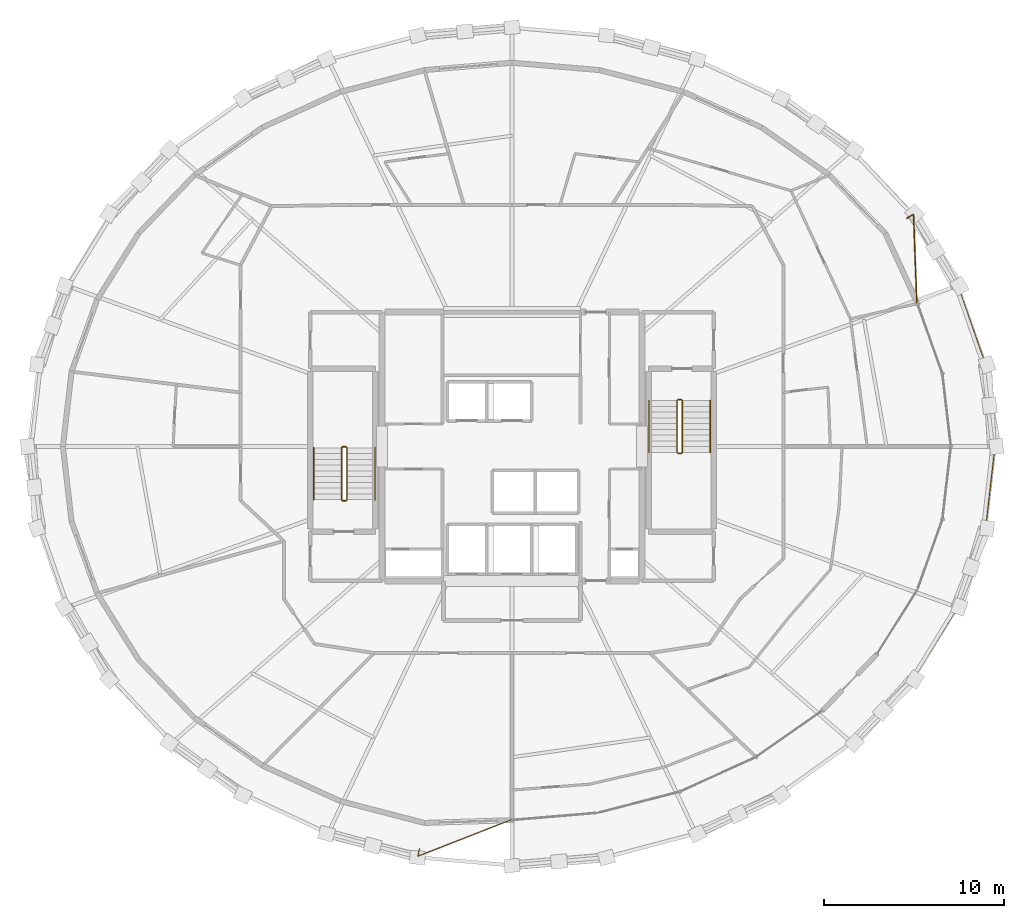
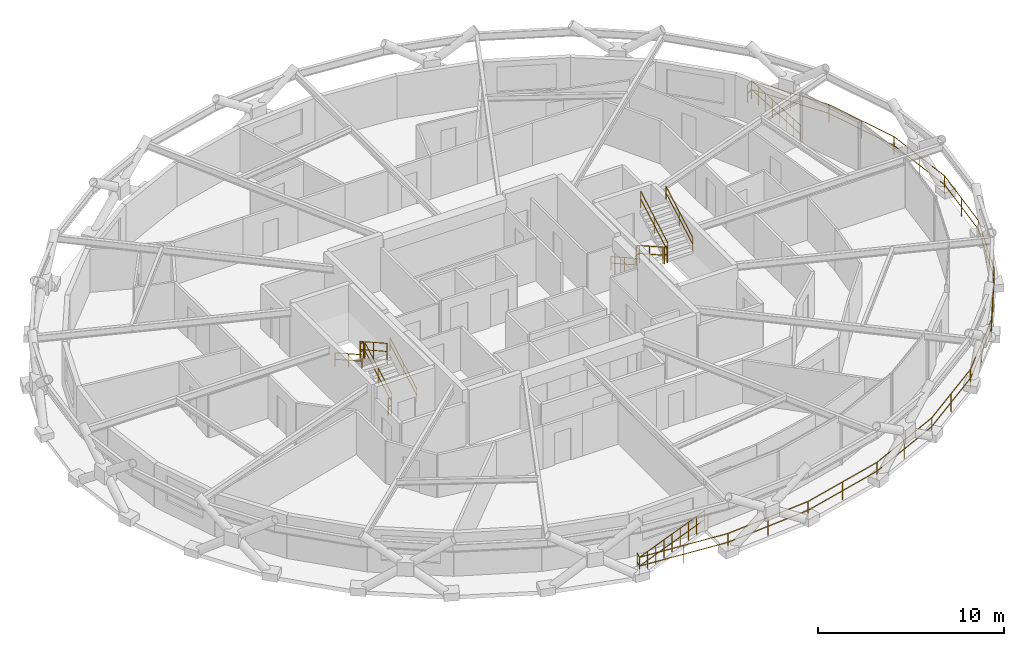
# One storey, part 16 of 16: 15 railings.
"""IFC4 building model written with IfcOpenShell, lengths in metres."""

from ifc_helpers import new_model, si_unit, direction, frame, origin, origin_2d, place, context, subcontext, project, spatial, circle, extrude, material, type_object, element, save


model = new_model("IFC4")

# Units and contexts
model_context = context("Model", 3, precision=1e-05, world=origin(), true_north=direction((0.0, 1.0)))
body_context = subcontext(model_context, "Body", "Model", "MODEL_VIEW")
ifc_project = project(units=[si_unit("LENGTHUNIT", "METRE"), si_unit("AREAUNIT", "SQUARE_METRE"), si_unit("VOLUMEUNIT", "CUBIC_METRE"), si_unit("PLANEANGLEUNIT", "RADIAN"), si_unit("MASSUNIT", "GRAM", prefix="KILO")], contexts=[model_context])

# Site, building, storey
site_placement = place(None, origin())
site = spatial("IfcSite", under=ifc_project, at=site_placement, CompositionType="ELEMENT")
building_placement = place(site_placement, origin())
building = spatial("IfcBuilding", under=site, at=building_placement, Name="Veldorina Hangang Commons", CompositionType="ELEMENT")
storey_placement = place(building_placement, frame((0.0, 0.0, 192.800048828125)))
storey = spatial("IfcBuildingStorey", under=building, at=storey_placement, Name="L50", CompositionType="ELEMENT", Elevation=192.800048828125)

# Railings
ifc_material_1 = material(Name="Glass Laminated Safety Balustrade", Category="glass")
railing_type_1 = type_object("IfcRailingType", Name="RL-BAL-LOGGIA", PredefinedType="BALUSTRADE", material=ifc_material_1)
railing_1_placement = place(storey_placement, frame((26.871826171875, 1.6943359375, 0.0)))
element("IfcRailing", 1, at=railing_1_placement, inside=storey, type_object=railing_type_1, Name="L50 sky-garden loggia end balustrade A", PredefinedType="BALUSTRADE", context=body_context, shape_type="SweptSolid", body=[
    extrude(circle(Radius=0.02392578125, at=origin_2d()), frame((0.0, 0.0, 1.17578125), z_axis=(-0.22388258221, -0.974616124114, 0.0), x_axis=(0.974616124114, -0.22388258221, 0.0)), (0.0, 0.0, 1.0), 0.419921875),
    extrude(circle(Radius=0.02392578125, at=origin_2d()), frame((0.0, 0.0, 0.60009765625), z_axis=(-0.22388258221, -0.974616124114, 0.0), x_axis=(0.974616124114, -0.22388258221, 0.0)), (0.0, 0.0, 1.0), 0.419921875),
    extrude(circle(Radius=0.02392578125, at=origin_2d()), frame((-0.093994140625, -0.4091796875, 1.17578125), z_axis=(0.931729736181, 0.36315244556, 0.0), x_axis=(-0.36315244556, 0.931729736181, 0.0)), (0.0, 0.0, 1.0), 5.604736328125),
    extrude(circle(Radius=0.02392578125, at=origin_2d()), frame((-0.093994140625, -0.4091796875, 0.60009765625), z_axis=(0.931729736181, 0.36315244556, 0.0), x_axis=(-0.36315244556, 0.931729736181, 0.0)), (0.0, 0.0, 1.0), 5.604736328125),
    extrude(circle(Radius=0.02099609375, at=origin_2d()), origin(), (0.0, 0.0, 1.0), 1.15185546875),
    extrude(circle(Radius=0.02099609375, at=origin_2d()), frame((-0.093994140625, -0.4091796875, 0.0)), (0.0, 0.0, 1.0), 1.15185546875),
    extrude(circle(Radius=0.02099609375, at=origin_2d()), frame((0.558837890625, -0.15478515625, 0.0)), (0.0, 0.0, 1.0), 1.15185546875),
    extrude(circle(Radius=0.02099609375, at=origin_2d()), frame((1.21142578125, 0.099609375, 0.0)), (0.0, 0.0, 1.0), 1.15185546875),
    extrude(circle(Radius=0.02099609375, at=origin_2d()), frame((1.8642578125, 0.35400390625, 0.0)), (0.0, 0.0, 1.0), 1.15185546875),
    extrude(circle(Radius=0.02099609375, at=origin_2d()), frame((2.51708984375, 0.6083984375, 0.0)), (0.0, 0.0, 1.0), 1.15185546875),
    extrude(circle(Radius=0.02099609375, at=origin_2d()), frame((3.169921875, 0.863037109375, 0.0)), (0.0, 0.0, 1.0), 1.15185546875),
    extrude(circle(Radius=0.02099609375, at=origin_2d()), frame((3.82275390625, 1.117431640625, 0.0)), (0.0, 0.0, 1.0), 1.15185546875),
    extrude(circle(Radius=0.02099609375, at=origin_2d()), frame((4.475341796875, 1.371826171875, 0.0)), (0.0, 0.0, 1.0), 1.15185546875),
    extrude(circle(Radius=0.02099609375, at=origin_2d()), frame((5.128173828125, 1.626220703125, 0.0)), (0.0, 0.0, 1.0), 1.15185546875),
])
railing_2_placement = place(storey_placement, frame((53.900390625, 36.660888671875, 0.0)))
element("IfcRailing", 2, at=railing_2_placement, inside=storey, type_object=railing_type_1, Name="L50 sky-garden loggia end balustrade B", PredefinedType="BALUSTRADE", context=body_context, shape_type="SweptSolid", body=[
    extrude(circle(Radius=0.02392578125, at=origin_2d()), frame((0.0, 0.0, 1.17578125), z_axis=(0.865691529388, 0.500577842044, 0.0), x_axis=(-0.500577842044, 0.865691529388, 0.0)), (0.0, 0.0, 1.0), 0.419921875),
    extrude(circle(Radius=0.02392578125, at=origin_2d()), frame((0.0, 0.0, 0.60009765625), z_axis=(0.865691529388, 0.500577842044, 0.0), x_axis=(-0.500577842044, 0.865691529388, 0.0)), (0.0, 0.0, 1.0), 0.419921875),
    extrude(circle(Radius=0.02392578125, at=origin_2d()), frame((0.363525390625, 0.210205078125, 1.17578125), z_axis=(0.037417735656, -0.999299711327, 0.0), x_axis=(0.999299711327, 0.037417735656, 0.0)), (0.0, 0.0, 1.0), 4.958740234375),
    extrude(circle(Radius=0.02392578125, at=origin_2d()), frame((0.363525390625, 0.210205078125, 0.60009765625), z_axis=(0.037417735656, -0.999299711327, 0.0), x_axis=(0.999299711327, 0.037417735656, 0.0)), (0.0, 0.0, 1.0), 4.958740234375),
    extrude(circle(Radius=0.02099609375, at=origin_2d()), origin(), (0.0, 0.0, 1.0), 1.15185546875),
    extrude(circle(Radius=0.02099609375, at=origin_2d()), frame((0.363525390625, 0.210205078125, 0.0)), (0.0, 0.0, 1.0), 1.15185546875),
    extrude(circle(Radius=0.02099609375, at=origin_2d()), frame((0.39013671875, -0.497802734375, 0.0)), (0.0, 0.0, 1.0), 1.15185546875),
    extrude(circle(Radius=0.02099609375, at=origin_2d()), frame((0.41650390625, -1.20556640625, 0.0)), (0.0, 0.0, 1.0), 1.15185546875),
    extrude(circle(Radius=0.02099609375, at=origin_2d()), frame((0.443115234375, -1.91357421875, 0.0)), (0.0, 0.0, 1.0), 1.15185546875),
    extrude(circle(Radius=0.02099609375, at=origin_2d()), frame((0.469482421875, -2.621337890625, 0.0)), (0.0, 0.0, 1.0), 1.15185546875),
    extrude(circle(Radius=0.02099609375, at=origin_2d()), frame((0.49609375, -3.329345703125, 0.0)), (0.0, 0.0, 1.0), 1.15185546875),
    extrude(circle(Radius=0.02099609375, at=origin_2d()), frame((0.5224609375, -4.037109375, 0.0)), (0.0, 0.0, 1.0), 1.15185546875),
    extrude(circle(Radius=0.02099609375, at=origin_2d()), frame((0.549072265625, -4.7451171875, 0.0)), (0.0, 0.0, 1.0), 1.15185546875),
])
railing_3_placement = place(storey_placement, frame((26.77783203125, 1.28515625, 0.0)))
element("IfcRailing", 3, at=railing_3_placement, inside=storey, type_object=railing_type_1, Name="L50 sky-garden loggia outer balustrade", PredefinedType="BALUSTRADE", context=body_context, shape_type="SweptSolid", body=[
    extrude(circle(Radius=0.02392578125, at=origin_2d()), frame((0.0, 0.0, 1.17578125), z_axis=(0.996395745778, -0.084826397993, 0.0), x_axis=(0.084826397993, 0.996395745778, 0.0)), (0.0, 0.0, 1.0), 5.240966796875),
    extrude(circle(Radius=0.02392578125, at=origin_2d()), frame((0.0, 0.0, 0.60009765625), z_axis=(0.996395745778, -0.084826397993, 0.0), x_axis=(0.084826397993, 0.996395745778, 0.0)), (0.0, 0.0, 1.0), 5.240966796875),
    extrude(circle(Radius=0.02392578125, at=origin_2d()), frame((5.22216796875, -0.444580078125, 1.17578125), z_axis=(0.996395745778, 0.084826397993, 0.0), x_axis=(-0.084826397993, 0.996395745778, 0.0)), (0.0, 0.0, 1.0), 5.240966796875),
    extrude(circle(Radius=0.02392578125, at=origin_2d()), frame((5.22216796875, -0.444580078125, 0.60009765625), z_axis=(0.996395745778, 0.084826397993, 0.0), x_axis=(-0.084826397993, 0.996395745778, 0.0)), (0.0, 0.0, 1.0), 5.240966796875),
    extrude(circle(Radius=0.02392578125, at=origin_2d()), frame((10.4443359375, 0.0, 1.17578125), z_axis=(0.967310453562, 0.25359512304, 0.0), x_axis=(-0.25359512304, 0.967310453562, 0.0)), (0.0, 0.0, 1.0), 5.19189453125),
    extrude(circle(Radius=0.02392578125, at=origin_2d()), frame((10.4443359375, 0.0, 0.60009765625), z_axis=(0.967310453562, 0.25359512304, 0.0), x_axis=(-0.25359512304, 0.967310453562, 0.0)), (0.0, 0.0, 1.0), 5.19189453125),
    extrude(circle(Radius=0.02392578125, at=origin_2d()), frame((15.466552734375, 1.316650390625, 1.17578125), z_axis=(0.907807993215, 0.419386036313, 0.0), x_axis=(-0.419386036313, 0.907807993215, 0.0)), (0.0, 0.0, 1.0), 5.099609375),
    extrude(circle(Radius=0.02392578125, at=origin_2d()), frame((15.466552734375, 1.316650390625, 0.60009765625), z_axis=(0.907807993215, 0.419386036313, 0.0), x_axis=(-0.419386036313, 0.907807993215, 0.0)), (0.0, 0.0, 1.0), 5.099609375),
    extrude(circle(Radius=0.02392578125, at=origin_2d()), frame((20.095947265625, 3.455322265625, 1.17578125), z_axis=(0.815615441499, 0.578594375697, 0.0), x_axis=(-0.578594375697, 0.815615441499, 0.0)), (0.0, 0.0, 1.0), 4.97607421875),
    extrude(circle(Radius=0.02392578125, at=origin_2d()), frame((20.095947265625, 3.455322265625, 0.60009765625), z_axis=(0.815615441499, 0.578594375697, 0.0), x_axis=(-0.578594375697, 0.815615441499, 0.0)), (0.0, 0.0, 1.0), 4.97607421875),
    extrude(circle(Radius=0.02392578125, at=origin_2d()), frame((24.154541015625, 6.33447265625, 1.17578125), z_axis=(0.68850278484, 0.725233697002, 0.0), x_axis=(-0.725233697002, 0.68850278484, 0.0)), (0.0, 0.0, 1.0), 4.8388671875),
    extrude(circle(Radius=0.02392578125, at=origin_2d()), frame((24.154541015625, 6.33447265625, 0.60009765625), z_axis=(0.68850278484, 0.725233697002, 0.0), x_axis=(-0.725233697002, 0.68850278484, 0.0)), (0.0, 0.0, 1.0), 4.8388671875),
    extrude(circle(Radius=0.02392578125, at=origin_2d()), frame((27.486083984375, 9.84375, 1.17578125), z_axis=(0.525872571011, 0.850563365693, 0.0), x_axis=(-0.850563365693, 0.525872571011, 0.0)), (0.0, 0.0, 1.0), 4.70849609375),
    extrude(circle(Radius=0.02392578125, at=origin_2d()), frame((27.486083984375, 9.84375, 0.60009765625), z_axis=(0.525872571011, 0.850563365693, 0.0), x_axis=(-0.850563365693, 0.525872571011, 0.0)), (0.0, 0.0, 1.0), 4.70849609375),
    extrude(circle(Radius=0.02392578125, at=origin_2d()), frame((29.962158203125, 13.8486328125, 1.17578125), z_axis=(0.331136565293, 0.943582839567, 0.0), x_axis=(-0.943582839567, 0.331136565293, 0.0)), (0.0, 0.0, 1.0), 4.605712890625),
    extrude(circle(Radius=0.02392578125, at=origin_2d()), frame((29.962158203125, 13.8486328125, 0.60009765625), z_axis=(0.331136565293, 0.943582839567, 0.0), x_axis=(-0.943582839567, 0.331136565293, 0.0)), (0.0, 0.0, 1.0), 4.605712890625),
    extrude(circle(Radius=0.02392578125, at=origin_2d()), frame((31.4873046875, 18.194580078125, 1.17578125), z_axis=(0.113175783635, 0.993574980562, 0.0), x_axis=(-0.993574980562, 0.113175783635, 0.0)), (0.0, 0.0, 1.0), 4.549560546875),
    extrude(circle(Radius=0.02392578125, at=origin_2d()), frame((31.4873046875, 18.194580078125, 0.60009765625), z_axis=(0.113175783635, 0.993574980562, 0.0), x_axis=(-0.993574980562, 0.113175783635, 0.0)), (0.0, 0.0, 1.0), 4.549560546875),
    extrude(circle(Radius=0.02392578125, at=origin_2d()), frame((32.002197265625, 22.71484375, 1.17578125), z_axis=(-0.113175783635, 0.993574980562, 0.0), x_axis=(-0.993574980562, -0.113175783635, 0.0)), (0.0, 0.0, 1.0), 4.549560546875),
    extrude(circle(Radius=0.02392578125, at=origin_2d()), frame((32.002197265625, 22.71484375, 0.60009765625), z_axis=(-0.113175783635, 0.993574980562, 0.0), x_axis=(-0.993574980562, -0.113175783635, 0.0)), (0.0, 0.0, 1.0), 4.549560546875),
    extrude(circle(Radius=0.02392578125, at=origin_2d()), frame((31.4873046875, 27.235107421875, 1.17578125), z_axis=(-0.331136565293, 0.943582839567, 0.0), x_axis=(-0.943582839567, -0.331136565293, 0.0)), (0.0, 0.0, 1.0), 4.605712890625),
    extrude(circle(Radius=0.02392578125, at=origin_2d()), frame((31.4873046875, 27.235107421875, 0.60009765625), z_axis=(-0.331136565293, 0.943582839567, 0.0), x_axis=(-0.943582839567, -0.331136565293, 0.0)), (0.0, 0.0, 1.0), 4.605712890625),
    extrude(circle(Radius=0.02392578125, at=origin_2d()), frame((29.962158203125, 31.5810546875, 1.17578125), z_axis=(-0.525872571011, 0.850563365693, 0.0), x_axis=(-0.850563365693, -0.525872571011, 0.0)), (0.0, 0.0, 1.0), 4.70849609375),
    extrude(circle(Radius=0.02392578125, at=origin_2d()), frame((29.962158203125, 31.5810546875, 0.60009765625), z_axis=(-0.525872571011, 0.850563365693, 0.0), x_axis=(-0.850563365693, -0.525872571011, 0.0)), (0.0, 0.0, 1.0), 4.70849609375),
    extrude(circle(Radius=0.02099609375, at=origin_2d()), origin(), (0.0, 0.0, 1.0), 1.15185546875),
    extrude(circle(Radius=0.02099609375, at=origin_2d()), frame((2.611083984375, -0.22216796875, 0.0)), (0.0, 0.0, 1.0), 1.15185546875),
    extrude(circle(Radius=0.02099609375, at=origin_2d()), frame((5.22216796875, -0.444580078125, 0.0)), (0.0, 0.0, 1.0), 1.15185546875),
    extrude(circle(Radius=0.02099609375, at=origin_2d()), frame((7.833251953125, -0.22216796875, 0.0)), (0.0, 0.0, 1.0), 1.15185546875),
    extrude(circle(Radius=0.02099609375, at=origin_2d()), frame((10.4443359375, 0.0, 0.0)), (0.0, 0.0, 1.0), 1.15185546875),
    extrude(circle(Radius=0.02099609375, at=origin_2d()), frame((12.95556640625, 0.658203125, 0.0)), (0.0, 0.0, 1.0), 1.15185546875),
    extrude(circle(Radius=0.02099609375, at=origin_2d()), frame((15.466552734375, 1.316650390625, 0.0)), (0.0, 0.0, 1.0), 1.15185546875),
    extrude(circle(Radius=0.02099609375, at=origin_2d()), frame((17.78125, 2.385986328125, 0.0)), (0.0, 0.0, 1.0), 1.15185546875),
    extrude(circle(Radius=0.02099609375, at=origin_2d()), frame((20.095947265625, 3.455322265625, 0.0)), (0.0, 0.0, 1.0), 1.15185546875),
    extrude(circle(Radius=0.02099609375, at=origin_2d()), frame((22.125244140625, 4.89501953125, 0.0)), (0.0, 0.0, 1.0), 1.15185546875),
    extrude(circle(Radius=0.02099609375, at=origin_2d()), frame((24.154541015625, 6.33447265625, 0.0)), (0.0, 0.0, 1.0), 1.15185546875),
    extrude(circle(Radius=0.02099609375, at=origin_2d()), frame((25.8203125, 8.089111328125, 0.0)), (0.0, 0.0, 1.0), 1.15185546875),
    extrude(circle(Radius=0.02099609375, at=origin_2d()), frame((27.486083984375, 9.84375, 0.0)), (0.0, 0.0, 1.0), 1.15185546875),
    extrude(circle(Radius=0.02099609375, at=origin_2d()), frame((28.72412109375, 11.84619140625, 0.0)), (0.0, 0.0, 1.0), 1.15185546875),
    extrude(circle(Radius=0.02099609375, at=origin_2d()), frame((29.962158203125, 13.8486328125, 0.0)), (0.0, 0.0, 1.0), 1.15185546875),
    extrude(circle(Radius=0.02099609375, at=origin_2d()), frame((30.724609375, 16.021484375, 0.0)), (0.0, 0.0, 1.0), 1.15185546875),
    extrude(circle(Radius=0.02099609375, at=origin_2d()), frame((31.4873046875, 18.194580078125, 0.0)), (0.0, 0.0, 1.0), 1.15185546875),
    extrude(circle(Radius=0.02099609375, at=origin_2d()), frame((31.74462890625, 20.45458984375, 0.0)), (0.0, 0.0, 1.0), 1.15185546875),
    extrude(circle(Radius=0.02099609375, at=origin_2d()), frame((32.002197265625, 22.71484375, 0.0)), (0.0, 0.0, 1.0), 1.15185546875),
    extrude(circle(Radius=0.02099609375, at=origin_2d()), frame((31.74462890625, 24.97509765625, 0.0)), (0.0, 0.0, 1.0), 1.15185546875),
    extrude(circle(Radius=0.02099609375, at=origin_2d()), frame((31.4873046875, 27.235107421875, 0.0)), (0.0, 0.0, 1.0), 1.15185546875),
    extrude(circle(Radius=0.02099609375, at=origin_2d()), frame((30.724609375, 29.408203125, 0.0)), (0.0, 0.0, 1.0), 1.15185546875),
    extrude(circle(Radius=0.02099609375, at=origin_2d()), frame((29.962158203125, 31.5810546875, 0.0)), (0.0, 0.0, 1.0), 1.15185546875),
    extrude(circle(Radius=0.02099609375, at=origin_2d()), frame((28.72412109375, 33.58349609375, 0.0)), (0.0, 0.0, 1.0), 1.15185546875),
    extrude(circle(Radius=0.02099609375, at=origin_2d()), frame((27.486083984375, 35.5859375, 0.0)), (0.0, 0.0, 1.0), 1.15185546875),
])
ifc_material_2 = material(Name="Steel Painted Balustrade", Category="steel")
railing_type_2 = type_object("IfcRailingType", Name="RL-GRD-STAIR", PredefinedType="GUARDRAIL", material=ifc_material_2)
railing_4_placement = place(storey_placement, frame((22.85009765625, 21.050048828125, 0.179931640625)))
element("IfcRailing", 4, at=railing_4_placement, inside=storey, type_object=railing_type_2, Name="L50 ST-1 stair guard 1", PredefinedType="GUARDRAIL", context=body_context, shape_type="SweptSolid", body=[
    extrude(circle(Radius=0.02392578125, at=origin_2d()), frame((0.0, 0.0, 1.076171875), z_axis=(0.0, 0.87155185771, 0.490303333991), x_axis=(-1.0, 0.0, 0.0)), (0.0, 0.0, 1.0), 3.30419921875),
    extrude(circle(Radius=0.02392578125, at=origin_2d()), frame((0.0, 0.0, 0.550048828125), z_axis=(0.0, 0.87155185771, 0.490303333991), x_axis=(-1.0, 0.0, 0.0)), (0.0, 0.0, 1.0), 3.30419921875),
    extrude(circle(Radius=0.02099609375, at=origin_2d()), origin(), (0.0, 0.0, 1.0), 1.052001953125),
    extrude(circle(Radius=0.02099609375, at=origin_2d()), frame((0.0, 1.43994140625, 0.81005859375)), (0.0, 0.0, 1.0), 1.052001953125),
    extrude(circle(Radius=0.02099609375, at=origin_2d()), frame((0.0, 2.8798828125, 1.6201171875)), (0.0, 0.0, 1.0), 1.052001953125),
])
railing_5_placement = place(storey_placement, frame((22.800048828125, 23.97998046875, 1.800048828125)))
element("IfcRailing", 5, at=railing_5_placement, inside=storey, type_object=railing_type_2, Name="L50 ST-1 stair guard 2", PredefinedType="GUARDRAIL", context=body_context, shape_type="SweptSolid", body=[
    extrude(circle(Radius=0.02392578125, at=origin_2d()), frame((0.0, 0.0, 1.076171875), z_axis=(-1.0, 0.0, 0.0), x_axis=(0.0, -1.0, 0.0)), (0.0, 0.0, 1.0), 0.199951171875),
    extrude(circle(Radius=0.02392578125, at=origin_2d()), frame((0.0, 0.0, 0.550048828125), z_axis=(-1.0, 0.0, 0.0), x_axis=(0.0, -1.0, 0.0)), (0.0, 0.0, 1.0), 0.199951171875),
    extrude(circle(Radius=0.02099609375, at=origin_2d()), origin(), (0.0, 0.0, 1.0), 1.052001953125),
    extrude(circle(Radius=0.02099609375, at=origin_2d()), frame((-0.199951171875, 0.0, 0.0)), (0.0, 0.0, 1.0), 1.052001953125),
])
railing_6_placement = place(storey_placement, frame((22.550048828125, 23.929931640625, 1.97998046875)))
element("IfcRailing", 6, at=railing_6_placement, inside=storey, type_object=railing_type_2, Name="L50 ST-1 stair guard 3", PredefinedType="GUARDRAIL", context=body_context, shape_type="SweptSolid", body=[
    extrude(circle(Radius=0.02392578125, at=origin_2d()), frame((0.0, 0.0, 1.076171875), z_axis=(0.0, -0.871583430097, 0.490247207417), x_axis=(1.0, 0.0, 0.0)), (0.0, 0.0, 1.0), 3.30419921875),
    extrude(circle(Radius=0.02392578125, at=origin_2d()), frame((0.0, 0.0, 0.550048828125), z_axis=(0.0, -0.871583430097, 0.490247207417), x_axis=(1.0, 0.0, 0.0)), (0.0, 0.0, 1.0), 3.30419921875),
    extrude(circle(Radius=0.02099609375, at=origin_2d()), origin(), (0.0, 0.0, 1.0), 1.052001953125),
    extrude(circle(Radius=0.02099609375, at=origin_2d()), frame((0.0, -1.43994140625, 0.81005859375)), (0.0, 0.0, 1.0), 1.052001953125),
    extrude(circle(Radius=0.02099609375, at=origin_2d()), frame((0.0, -2.8798828125, 1.619873046875)), (0.0, 0.0, 1.0), 1.052001953125),
])
railing_7_placement = place(storey_placement, frame((22.800048828125, 21.0, 0.0)))
element("IfcRailing", 7, at=railing_7_placement, inside=storey, type_object=railing_type_2, Name="L50 ST-1 stair guard 4", PredefinedType="GUARDRAIL", context=body_context, shape_type="SweptSolid", body=[
    extrude(circle(Radius=0.02392578125, at=origin_2d()), frame((0.0, 0.0, 1.076171875), z_axis=(-1.0, 0.0, 0.0), x_axis=(0.0, -1.0, 0.0)), (0.0, 0.0, 1.0), 0.199951171875),
    extrude(circle(Radius=0.02392578125, at=origin_2d()), frame((0.0, 0.0, 0.550048828125), z_axis=(-1.0, 0.0, 0.0), x_axis=(0.0, -1.0, 0.0)), (0.0, 0.0, 1.0), 0.199951171875),
    extrude(circle(Radius=0.02099609375, at=origin_2d()), origin(), (0.0, 0.0, 1.0), 1.052001953125),
    extrude(circle(Radius=0.02099609375, at=origin_2d()), frame((-0.199951171875, 0.0, 0.0)), (0.0, 0.0, 1.0), 1.052001953125),
])
railing_8_placement = place(storey_placement, frame((41.14990234375, 26.550048828125, 0.179931640625)))
element("IfcRailing", 8, at=railing_8_placement, inside=storey, type_object=railing_type_2, Name="L50 ST-2 stair guard 1", PredefinedType="GUARDRAIL", context=body_context, shape_type="SweptSolid", body=[
    extrude(circle(Radius=0.02392578125, at=origin_2d()), frame((0.0, 0.0, 1.076171875), z_axis=(0.0, -0.871569617843, 0.490271762652), x_axis=(1.0, 0.0, 0.0)), (0.0, 0.0, 1.0), 3.304443359375),
    extrude(circle(Radius=0.02392578125, at=origin_2d()), frame((0.0, 0.0, 0.550048828125), z_axis=(0.0, -0.871569617843, 0.490271762652), x_axis=(1.0, 0.0, 0.0)), (0.0, 0.0, 1.0), 3.304443359375),
    extrude(circle(Radius=0.02099609375, at=origin_2d()), origin(), (0.0, 0.0, 1.0), 1.052001953125),
    extrude(circle(Radius=0.02099609375, at=origin_2d()), frame((0.0, -1.43994140625, 0.81005859375)), (0.0, 0.0, 1.0), 1.052001953125),
    extrude(circle(Radius=0.02099609375, at=origin_2d()), frame((0.0, -2.880126953125, 1.6201171875)), (0.0, 0.0, 1.0), 1.052001953125),
])
railing_9_placement = place(storey_placement, frame((41.199951171875, 23.6201171875, 1.800048828125)))
element("IfcRailing", 9, at=railing_9_placement, inside=storey, type_object=railing_type_2, Name="L50 ST-2 stair guard 2", PredefinedType="GUARDRAIL", context=body_context, shape_type="SweptSolid", body=[
    extrude(circle(Radius=0.02392578125, at=origin_2d()), frame((0.0, 0.0, 1.076171875), z_axis=(1.0, 0.0, 0.0), x_axis=(0.0, 1.0, 0.0)), (0.0, 0.0, 1.0), 0.199951171875),
    extrude(circle(Radius=0.02392578125, at=origin_2d()), frame((0.0, 0.0, 0.550048828125), z_axis=(1.0, 0.0, 0.0), x_axis=(0.0, 1.0, 0.0)), (0.0, 0.0, 1.0), 0.199951171875),
    extrude(circle(Radius=0.02099609375, at=origin_2d()), origin(), (0.0, 0.0, 1.0), 1.052001953125),
    extrude(circle(Radius=0.02099609375, at=origin_2d()), frame((0.199951171875, 0.0, 0.0)), (0.0, 0.0, 1.0), 1.052001953125),
])
railing_10_placement = place(storey_placement, frame((41.449951171875, 23.669921875, 1.97998046875)))
element("IfcRailing", 10, at=railing_10_placement, inside=storey, type_object=railing_type_2, Name="L50 ST-2 stair guard 3", PredefinedType="GUARDRAIL", context=body_context, shape_type="SweptSolid", body=[
    extrude(circle(Radius=0.02392578125, at=origin_2d()), frame((0.0, 0.0, 1.076171875), z_axis=(0.0, 0.871601186807, 0.490215637405), x_axis=(-1.0, 0.0, 0.0)), (0.0, 0.0, 1.0), 3.304443359375),
    extrude(circle(Radius=0.02392578125, at=origin_2d()), frame((0.0, 0.0, 0.550048828125), z_axis=(0.0, 0.871601186807, 0.490215637405), x_axis=(-1.0, 0.0, 0.0)), (0.0, 0.0, 1.0), 3.304443359375),
    extrude(circle(Radius=0.02099609375, at=origin_2d()), origin(), (0.0, 0.0, 1.0), 1.052001953125),
    extrude(circle(Radius=0.02099609375, at=origin_2d()), frame((0.0, 1.43994140625, 0.81005859375)), (0.0, 0.0, 1.0), 1.052001953125),
    extrude(circle(Radius=0.02099609375, at=origin_2d()), frame((0.0, 2.880126953125, 1.619873046875)), (0.0, 0.0, 1.0), 1.052001953125),
])
railing_11_placement = place(storey_placement, frame((41.199951171875, 26.60009765625, 0.0)))
element("IfcRailing", 11, at=railing_11_placement, inside=storey, type_object=railing_type_2, Name="L50 ST-2 stair guard 4", PredefinedType="GUARDRAIL", context=body_context, shape_type="SweptSolid", body=[
    extrude(circle(Radius=0.02392578125, at=origin_2d()), frame((0.0, 0.0, 1.076171875), z_axis=(1.0, 0.0, 0.0), x_axis=(0.0, 1.0, 0.0)), (0.0, 0.0, 1.0), 0.199951171875),
    extrude(circle(Radius=0.02392578125, at=origin_2d()), frame((0.0, 0.0, 0.550048828125), z_axis=(1.0, 0.0, 0.0), x_axis=(0.0, 1.0, 0.0)), (0.0, 0.0, 1.0), 0.199951171875),
    extrude(circle(Radius=0.02099609375, at=origin_2d()), origin(), (0.0, 0.0, 1.0), 1.052001953125),
    extrude(circle(Radius=0.02099609375, at=origin_2d()), frame((0.199951171875, 0.0, 0.0)), (0.0, 0.0, 1.0), 1.052001953125),
])
ifc_material_3 = material(Name="Stainless Steel Brushed 316", Category="steel")
railing_type_3 = type_object("IfcRailingType", Name="RL-HND-STAIR", PredefinedType="HANDRAIL", material=ifc_material_3)
railing_12_placement = place(storey_placement, frame((24.39990234375, 21.050048828125, 0.179931640625)))
element("IfcRailing", 12, at=railing_12_placement, inside=storey, type_object=railing_type_3, Name="L50 ST-1 stair handrail 1", PredefinedType="HANDRAIL", context=body_context, shape_type="SweptSolid", body=[
    extrude(circle(Radius=0.02392578125, at=origin_2d()), frame((0.0, 0.0, 0.8759765625), z_axis=(0.0, 0.87155185771, 0.490303333991), x_axis=(-1.0, 0.0, 0.0)), (0.0, 0.0, 1.0), 3.30419921875),
    extrude(circle(Radius=0.02392578125, at=origin_2d()), frame((0.0, 0.0, 0.449951171875), z_axis=(0.0, 0.87155185771, 0.490303333991), x_axis=(-1.0, 0.0, 0.0)), (0.0, 0.0, 1.0), 3.30419921875),
    extrude(circle(Radius=0.02099609375, at=origin_2d()), origin(), (0.0, 0.0, 1.0), 0.851806640625),
    extrude(circle(Radius=0.02099609375, at=origin_2d()), frame((0.0, 1.43994140625, 0.81005859375)), (0.0, 0.0, 1.0), 0.851806640625),
    extrude(circle(Radius=0.02099609375, at=origin_2d()), frame((0.0, 2.8798828125, 1.6201171875)), (0.0, 0.0, 1.0), 0.851806640625),
])
railing_13_placement = place(storey_placement, frame((21.0, 23.929931640625, 1.97998046875)))
element("IfcRailing", 13, at=railing_13_placement, inside=storey, type_object=railing_type_3, Name="L50 ST-1 stair handrail 2", PredefinedType="HANDRAIL", context=body_context, shape_type="SweptSolid", body=[
    extrude(circle(Radius=0.02392578125, at=origin_2d()), frame((0.0, 0.0, 0.8759765625), z_axis=(0.0, -0.871583430097, 0.490247207417), x_axis=(1.0, 0.0, 0.0)), (0.0, 0.0, 1.0), 3.30419921875),
    extrude(circle(Radius=0.02392578125, at=origin_2d()), frame((0.0, 0.0, 0.449951171875), z_axis=(0.0, -0.871583430097, 0.490247207417), x_axis=(1.0, 0.0, 0.0)), (0.0, 0.0, 1.0), 3.30419921875),
    extrude(circle(Radius=0.02099609375, at=origin_2d()), origin(), (0.0, 0.0, 1.0), 0.851806640625),
    extrude(circle(Radius=0.02099609375, at=origin_2d()), frame((0.0, -1.43994140625, 0.81005859375)), (0.0, 0.0, 1.0), 0.851806640625),
    extrude(circle(Radius=0.02099609375, at=origin_2d()), frame((0.0, -2.8798828125, 1.619873046875)), (0.0, 0.0, 1.0), 0.851806640625),
])
railing_14_placement = place(storey_placement, frame((39.60009765625, 26.550048828125, 0.179931640625)))
element("IfcRailing", 14, at=railing_14_placement, inside=storey, type_object=railing_type_3, Name="L50 ST-2 stair handrail 1", PredefinedType="HANDRAIL", context=body_context, shape_type="SweptSolid", body=[
    extrude(circle(Radius=0.02392578125, at=origin_2d()), frame((0.0, 0.0, 0.8759765625), z_axis=(0.0, -0.871569617843, 0.490271762652), x_axis=(1.0, 0.0, 0.0)), (0.0, 0.0, 1.0), 3.304443359375),
    extrude(circle(Radius=0.02392578125, at=origin_2d()), frame((0.0, 0.0, 0.449951171875), z_axis=(0.0, -0.871569617843, 0.490271762652), x_axis=(1.0, 0.0, 0.0)), (0.0, 0.0, 1.0), 3.304443359375),
    extrude(circle(Radius=0.02099609375, at=origin_2d()), origin(), (0.0, 0.0, 1.0), 0.851806640625),
    extrude(circle(Radius=0.02099609375, at=origin_2d()), frame((0.0, -1.43994140625, 0.81005859375)), (0.0, 0.0, 1.0), 0.851806640625),
    extrude(circle(Radius=0.02099609375, at=origin_2d()), frame((0.0, -2.880126953125, 1.6201171875)), (0.0, 0.0, 1.0), 0.851806640625),
])
railing_15_placement = place(storey_placement, frame((43.0, 23.669921875, 1.97998046875)))
element("IfcRailing", 15, at=railing_15_placement, inside=storey, type_object=railing_type_3, Name="L50 ST-2 stair handrail 2", PredefinedType="HANDRAIL", context=body_context, shape_type="SweptSolid", body=[
    extrude(circle(Radius=0.02392578125, at=origin_2d()), frame((0.0, 0.0, 0.8759765625), z_axis=(0.0, 0.871601186807, 0.490215637405), x_axis=(-1.0, 0.0, 0.0)), (0.0, 0.0, 1.0), 3.304443359375),
    extrude(circle(Radius=0.02392578125, at=origin_2d()), frame((0.0, 0.0, 0.449951171875), z_axis=(0.0, 0.871601186807, 0.490215637405), x_axis=(-1.0, 0.0, 0.0)), (0.0, 0.0, 1.0), 3.304443359375),
    extrude(circle(Radius=0.02099609375, at=origin_2d()), origin(), (0.0, 0.0, 1.0), 0.851806640625),
    extrude(circle(Radius=0.02099609375, at=origin_2d()), frame((0.0, 1.43994140625, 0.81005859375)), (0.0, 0.0, 1.0), 0.851806640625),
    extrude(circle(Radius=0.02099609375, at=origin_2d()), frame((0.0, 2.880126953125, 1.619873046875)), (0.0, 0.0, 1.0), 0.851806640625),
])

save(model, "model.ifc")
